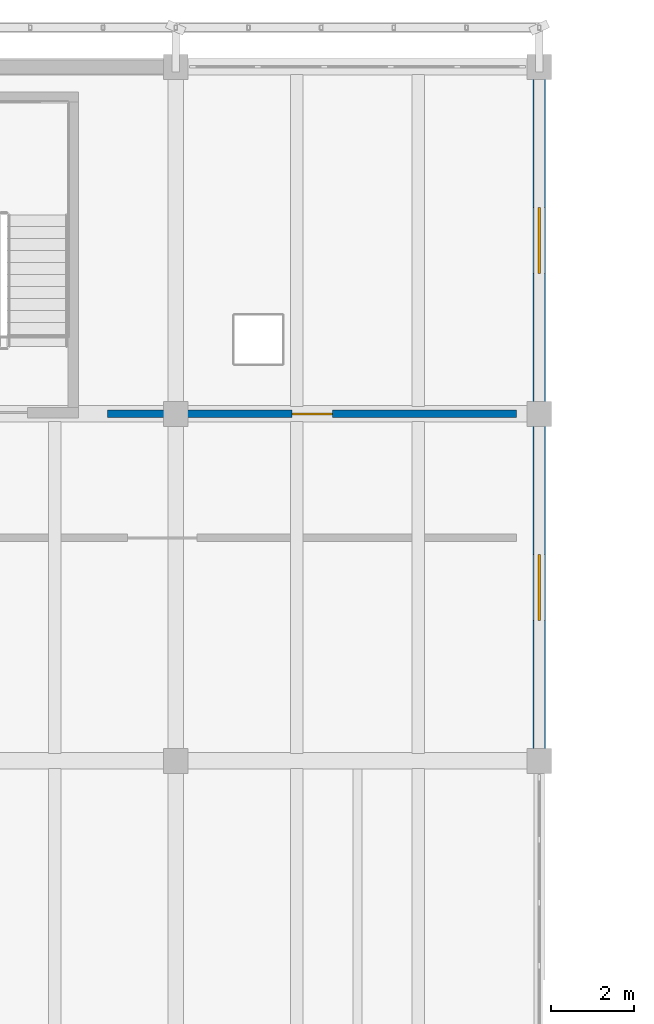
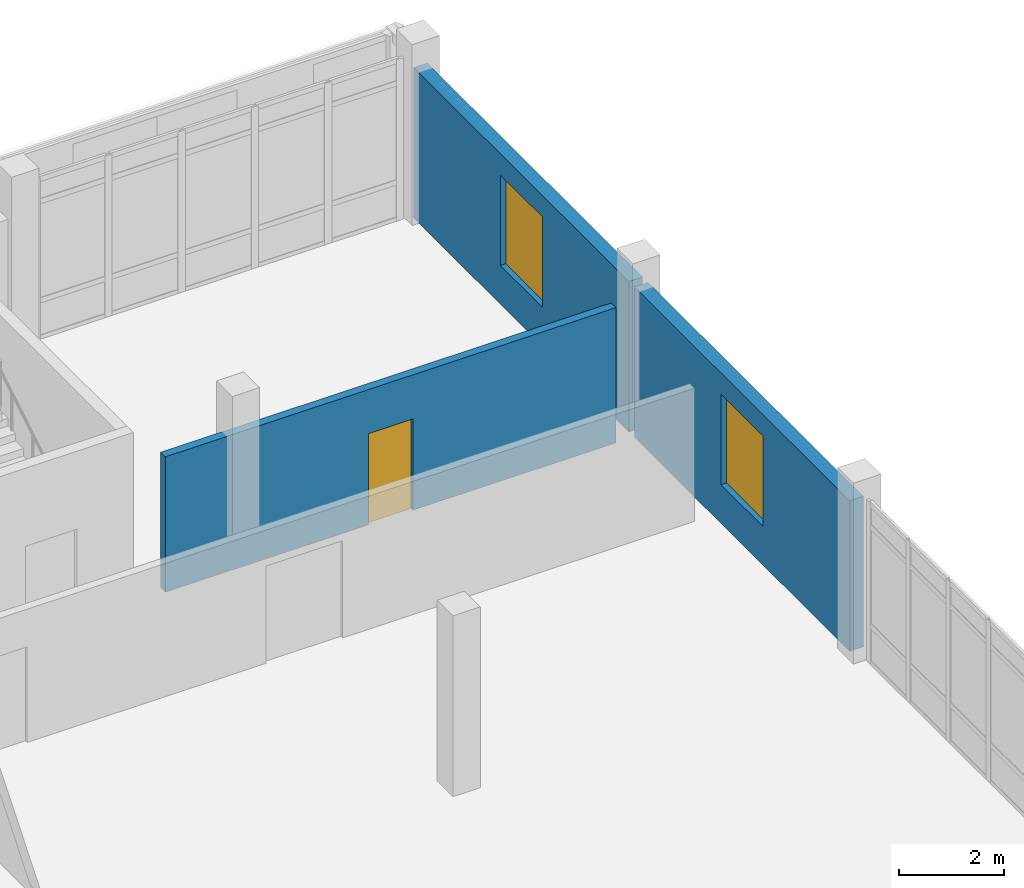
# One storey, part 115 of 137: 3 walls, 2 windows, 1 door, 3 openings.
"""IFC4 building model written with IfcOpenShell, lengths in metres."""

from ifc_helpers import new_model, si_unit, direction, frame, frame_2d, origin, place, context, subcontext, project, spatial, rectangle, extrude, material, layer, layer_set, type_object, element, fill, save


model = new_model("IFC4")

# Units and contexts
model_context = context("Model", 3, precision=1e-05, world=origin(), true_north=direction((0.0, 1.0)))
body_context = subcontext(model_context, "Body", "Model", "MODEL_VIEW")
ifc_project = project(units=[si_unit("LENGTHUNIT", "METRE"), si_unit("AREAUNIT", "SQUARE_METRE"), si_unit("VOLUMEUNIT", "CUBIC_METRE"), si_unit("PLANEANGLEUNIT", "RADIAN"), si_unit("MASSUNIT", "GRAM", prefix="KILO")], contexts=[model_context])

# Site, building, storey
site_placement = place(None, origin())
site = spatial("IfcSite", under=ifc_project, at=site_placement, CompositionType="ELEMENT")
building_placement = place(site_placement, origin())
building = spatial("IfcBuilding", under=site, at=building_placement, Name="Cinderway Yard Community Centre", CompositionType="ELEMENT")
storey_placement = place(building_placement, frame((0.0, 0.0, 4.800048828125)))
storey = spatial("IfcBuildingStorey", under=building, at=storey_placement, Name="L01", CompositionType="ELEMENT", Elevation=4.800048828125)

# Wall, opening, window
ifc_material_1 = material(Name="Brick Masonry", Category="masonry")
ifc_layer_1 = layer(ifc_material_1, 0.300048828125, Name="Brick Masonry")
ifc_layer_set_1 = layer_set([ifc_layer_1], Name="Brick Masonry")
wall_type_1 = type_object("IfcWallType", Name="ENV-WAL-EXT300", PredefinedType="SOLIDWALL", material=ifc_layer_set_1)
wall_1_placement = place(storey_placement, frame((145.60009765625, 98.5, 0.0), z_axis=(0.0, 0.0, 1.0), x_axis=(0.0, 1.0, 0.0)))
wall_1 = element("IfcWall", 1, at=wall_1_placement, inside=storey, type_object=wall_type_1, Name="V4 East End Wall ENV-WAL-L01-0154", PredefinedType="SOLIDWALL", context=body_context, shape_type="SweptSolid", body=[
    extrude(rectangle(XDim=8.199951171875, YDim=0.300048828125, at=frame_2d((4.10009765625, 0.0))), origin(), (0.0, 0.0, 1.0), 3.494873046875),
])
opening_1_placement = place(wall_1_placement, frame((3.300048828125, 0.0, 0.89990234375)))
opening_1 = element("IfcOpeningElement", 2, at=opening_1_placement, cuts=wall_1, Name="Opening W-14", PredefinedType="OPENING", context=body_context, shape_type="SweptSolid", body=[
    extrude(rectangle(XDim=1.60009765625, YDim=2.10009765625, at=frame_2d((0.800048828125, 1.050048828125))), frame((0.0, 0.159912109375, 0.0), z_axis=(0.0, -1.0, 0.0), x_axis=(1.0, 0.0, 0.0)), (0.0, 0.0, 1.0), 0.320068359375),
])
ifc_material_2 = material(Name="Laminated Low-E Glass", Category="glass")
window_type = type_object("IfcWindowType", Name="ENV-WIN-W14", PartitioningType="DOUBLE_PANEL_VERTICAL", PredefinedType="WINDOW", material=ifc_material_2)
window_1_placement = place(opening_1_placement, origin())
window_1 = element("IfcWindow", 3, at=window_1_placement, inside=storey, type_object=window_type, Name="Exterior window ENV-WIN-L01-0105", OverallHeight=2.10009765625, OverallWidth=1.60009765625, PartitioningType="SINGLE_PANEL", PredefinedType="WINDOW", context=body_context, shape_type="SweptSolid", body=[
    extrude(rectangle(XDim=1.60009765625, YDim=2.10009765625, at=frame_2d((0.800048828125, 1.050048828125))), frame((0.0, 0.030029296875, 0.0), z_axis=(0.0, -1.0, 0.0), x_axis=(1.0, 0.0, 0.0)), (0.0, 0.0, 1.0), 0.06005859375),
])
fill(opening_1, window_1)

wall_2_placement = place(storey_placement, frame((145.60009765625, 106.89990234375, 0.0), z_axis=(0.0, 0.0, 1.0), x_axis=(0.0, 1.0, 0.0)))
wall_2 = element("IfcWall", 4, at=wall_2_placement, inside=storey, type_object=wall_type_1, Name="V4 East End Wall ENV-WAL-L01-0155", PredefinedType="SOLIDWALL", context=body_context, shape_type="SweptSolid", body=[
    extrude(rectangle(XDim=8.2001953125, YDim=0.300048828125, at=frame_2d((4.10009765625, 0.0))), origin(), (0.0, 0.0, 1.0), 3.494873046875),
])
opening_2_placement = place(wall_2_placement, frame((3.300048828125, 0.0, 0.89990234375)))
opening_2 = element("IfcOpeningElement", 5, at=opening_2_placement, cuts=wall_2, Name="Opening W-14", PredefinedType="OPENING", context=body_context, shape_type="SweptSolid", body=[
    extrude(rectangle(XDim=1.60009765625, YDim=2.10009765625, at=frame_2d((0.800048828125, 1.050048828125))), frame((0.0, 0.159912109375, 0.0), z_axis=(0.0, -1.0, 0.0), x_axis=(1.0, 0.0, 0.0)), (0.0, 0.0, 1.0), 0.320068359375),
])
window_2_placement = place(opening_2_placement, origin())
window_2 = element("IfcWindow", 6, at=window_2_placement, inside=storey, type_object=window_type, Name="Exterior window ENV-WIN-L01-0106", OverallHeight=2.10009765625, OverallWidth=1.60009765625, PartitioningType="SINGLE_PANEL", PredefinedType="WINDOW", context=body_context, shape_type="SweptSolid", body=[
    extrude(rectangle(XDim=1.60009765625, YDim=2.10009765625, at=frame_2d((0.800048828125, 1.050048828125))), frame((0.0, 0.030029296875, 0.0), z_axis=(0.0, -1.0, 0.0), x_axis=(1.0, 0.0, 0.0)), (0.0, 0.0, 1.0), 0.06005859375),
])
fill(opening_2, window_2)

# Wall, opening, door
ifc_layer_2 = layer(ifc_material_1, 0.179931640625, Name="Brick Masonry")
ifc_layer_set_2 = layer_set([ifc_layer_2], Name="Brick Masonry")
wall_type_2 = type_object("IfcWallType", Name="INT-WAL-PRT180", PredefinedType="PARTITIONING", material=ifc_layer_set_2)
wall_3_placement = place(storey_placement, frame((135.14990234375, 106.800048828125, 0.0), z_axis=(0.0, 0.0, 1.0), x_axis=(1.0, 0.0, 0.0)))
wall_3 = element("IfcWall", 7, at=wall_3_placement, inside=storey, type_object=wall_type_2, Name="V4 L01 North Corridor Spine INT-PRT-L01-0296", PredefinedType="PARTITIONING", context=body_context, shape_type="SweptSolid", body=[
    extrude(rectangle(XDim=9.900146484375, YDim=0.179931640625, at=frame_2d((4.9501953125, 0.0))), origin(), (0.0, 0.0, 1.0), 3.14501953125),
])
opening_3_placement = place(wall_3_placement, frame((4.4599609375, 0.0, 0.0)))
opening_3 = element("IfcOpeningElement", 8, at=opening_3_placement, cuts=wall_3, Name="Opening D-06", PredefinedType="OPENING", context=body_context, shape_type="SweptSolid", body=[
    extrude(rectangle(XDim=0.97998046875, YDim=2.1201171875, at=frame_2d((0.489990234375, 1.06005859375))), frame((0.0, 0.099853515625, 0.0), z_axis=(0.0, -1.0, 0.0), x_axis=(1.0, 0.0, 0.0)), (0.0, 0.0, 1.0), 0.199951171875),
])
ifc_material_3 = material(Name="Hardwood Timber", Category="wood")
door_type = type_object("IfcDoorType", Name="INT-DOR-OFF098", OperationType="NOTDEFINED", PredefinedType="DOOR", material=ifc_material_3)
door_placement = place(opening_3_placement, origin())
door = element("IfcDoor", 9, at=door_placement, inside=storey, type_object=door_type, Name="Room door INT-DOR-L01-0186", OperationType="SINGLE_SWING_RIGHT", OverallHeight=2.1201171875, OverallWidth=0.97998046875, PredefinedType="DOOR", context=body_context, shape_type="SweptSolid", body=[
    extrude(rectangle(XDim=0.97998046875, YDim=2.1201171875, at=frame_2d((0.489990234375, 1.06005859375))), frame((0.0, 0.02490234375, 0.0), z_axis=(0.0, -1.0, 0.0), x_axis=(1.0, 0.0, 0.0)), (0.0, 0.0, 1.0), 0.050048828125),
])
fill(opening_3, door)

save(model, "model.ifc")
